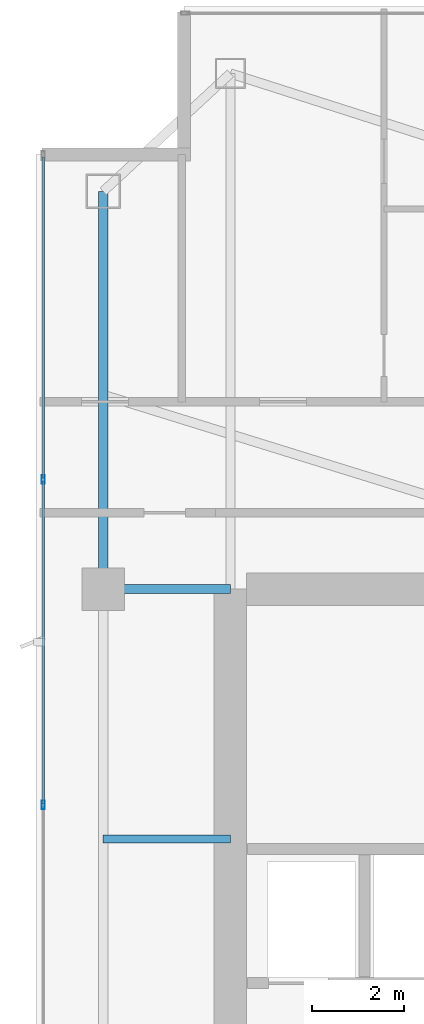
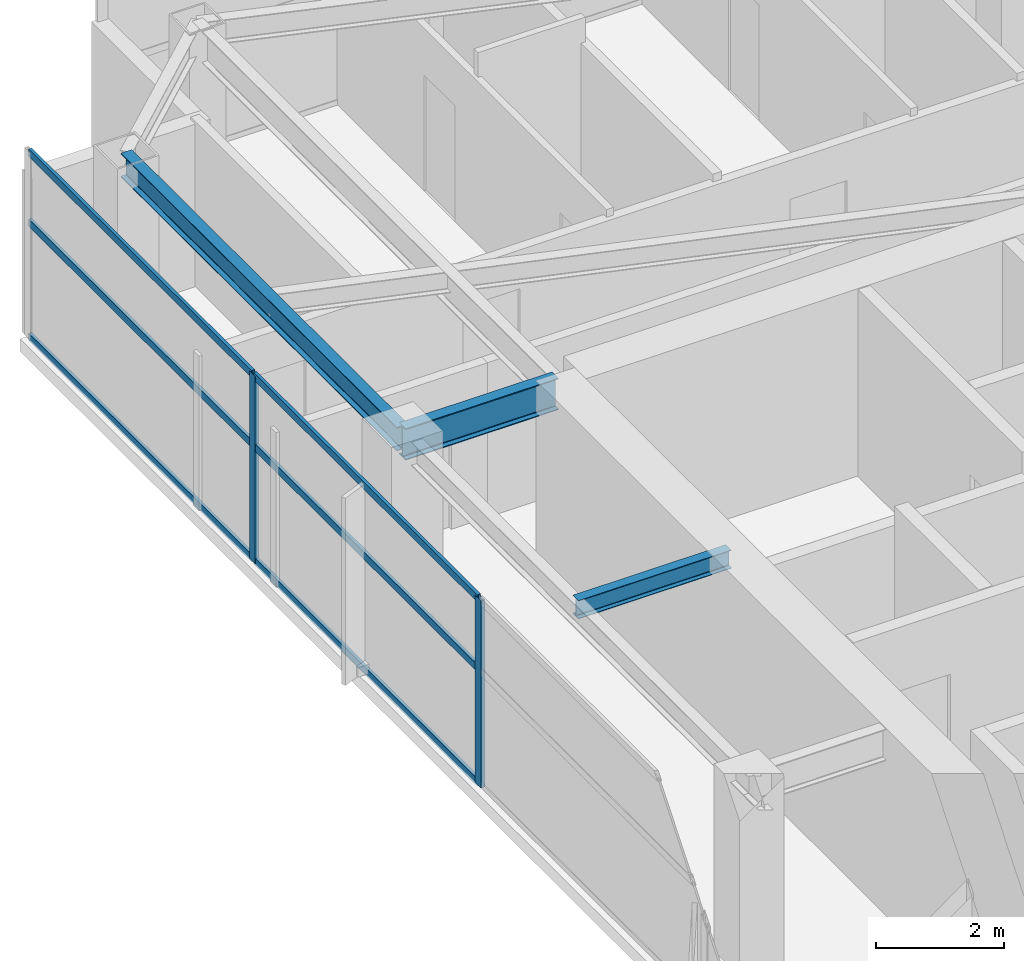
# One storey, part 15 of 27: 8 members, 3 beams, 1 element without a shape of its own.
"""IFC4 building model written with IfcOpenShell, lengths in metres."""

from ifc_helpers import new_model, si_unit, direction, frame, origin, origin_2d, place, context, subcontext, project, spatial, hollow_rectangle, i_section, extrude, material, layer, layer_set, material_profile, profile_set, type_object, element, aggregate, save


model = new_model("IFC4")

# Units and contexts
model_context = context("Model", 3, precision=1e-05, world=origin(), true_north=direction((0.0, 1.0)))
body_context = subcontext(model_context, "Body", "Model", "MODEL_VIEW")
ifc_project = project(units=[si_unit("LENGTHUNIT", "METRE"), si_unit("AREAUNIT", "SQUARE_METRE"), si_unit("VOLUMEUNIT", "CUBIC_METRE"), si_unit("PLANEANGLEUNIT", "RADIAN"), si_unit("MASSUNIT", "GRAM", prefix="KILO")], contexts=[model_context])

# Site, building, storey
site_placement = place(None, origin())
site = spatial("IfcSite", under=ifc_project, at=site_placement, CompositionType="ELEMENT")
building_placement = place(site_placement, origin())
building = spatial("IfcBuilding", under=site, at=building_placement, Name="Calvorn Quay Hotel", CompositionType="ELEMENT")
storey_placement = place(building_placement, frame((0.0, 0.0, 223.10009765625)))
storey = spatial("IfcBuildingStorey", under=building, at=storey_placement, Name="L55", CompositionType="ELEMENT", Elevation=223.10009765625)

# Beams
ifc_material_1 = material(Name="Steel Q355B", Category="steel")
ifc_material_profile_1 = material_profile(ifc_material_1, i_section(OverallWidth=0.199951171875, OverallDepth=0.60009765625, WebThickness=0.010986328125, FlangeThickness=0.01708984375, FilletRadius=0.01806640625, at=origin_2d()), Name="HN600x200x11x17")
ifc_profile_set_1 = profile_set([ifc_material_profile_1], Name="Steel Q355B")
beam_type_1 = type_object("IfcBeamType", Name="BM-GIRD-TYP", PredefinedType="BEAM", material=ifc_profile_set_1)
beam_1_placement = place(storey_placement, frame((1.449951171875, 38.39990234375, 3.239990234375), z_axis=(1.0, 0.0, 0.0), x_axis=(0.0, 1.0, 0.0)))
element("IfcBeam", 1, at=beam_1_placement, inside=storey, type_object=beam_type_1, Name="Beam BG-L55-W3", PredefinedType="BEAM", context=body_context, shape_type="SweptSolid", body=[
    extrude(i_section(OverallWidth=0.199951171875, OverallDepth=0.60009765625, WebThickness=0.010986328125, FlangeThickness=0.01708984375, FilletRadius=0.01806640625, at=origin_2d()), origin(), (0.0, 0.0, 1.0), 2.75),
])
ifc_material_2 = material(Name="Steel Q355B", Category="steel")
ifc_material_profile_2 = material_profile(ifc_material_2, i_section(OverallWidth=0.175048828125, OverallDepth=0.35009765625, WebThickness=0.007080078125, FlangeThickness=0.010986328125, FilletRadius=0.013916015625, at=origin_2d()), Name="HN350x175x7x11")
ifc_profile_set_2 = profile_set([ifc_material_profile_2], Name="Steel Q355B")
beam_type_2 = type_object("IfcBeamType", Name="BM-JOIST-SEC", PredefinedType="JOIST", material=ifc_profile_set_2)
beam_2_placement = place(storey_placement, frame((1.449951171875, 33.0, 3.364990234375), z_axis=(1.0, 0.0, 0.0), x_axis=(0.0, 1.0, 0.0)))
element("IfcBeam", 2, at=beam_2_placement, inside=storey, type_object=beam_type_2, Name="Beam BJ-L55-W4", PredefinedType="JOIST", context=body_context, shape_type="SweptSolid", body=[
    extrude(i_section(OverallWidth=0.175048828125, OverallDepth=0.35009765625, WebThickness=0.007080078125, FlangeThickness=0.010986328125, FilletRadius=0.013916015625, at=origin_2d()), origin(), (0.0, 0.0, 1.0), 2.75),
])
ifc_material_3 = material(Name="Steel Q355B", Category="steel")
ifc_material_profile_3 = material_profile(ifc_material_3, i_section(OverallWidth=0.199951171875, OverallDepth=0.449951171875, WebThickness=0.009033203125, FlangeThickness=0.013916015625, FilletRadius=0.01611328125, at=origin_2d()), Name="HN450x200x9x14")
ifc_profile_set_3 = profile_set([ifc_material_profile_3], Name="Steel Q355B")
beam_type_3 = type_object("IfcBeamType", Name="BM-SPANDREL-Z3", PredefinedType="SPANDREL", material=ifc_profile_set_3)
beam_3_placement = place(storey_placement, frame((1.449951171875, 38.39990234375, 3.31494140625), z_axis=(0.0, 1.0, 0.0), x_axis=(-1.0, 0.0, 0.0)))
element("IfcBeam", 3, at=beam_3_placement, inside=storey, type_object=beam_type_3, Name="Beam BSP-L55-W4", PredefinedType="SPANDREL", context=body_context, shape_type="SweptSolid", body=[
    extrude(i_section(OverallWidth=0.199951171875, OverallDepth=0.449951171875, WebThickness=0.009033203125, FlangeThickness=0.013916015625, FilletRadius=0.01611328125, at=origin_2d()), origin(), (0.0, 0.0, 1.0), 8.60009765625),
])

# Curtain wall, members
ifc_material_4 = material(Name="Champagne Bronze Anodised Aluminium and Low-E Glass", Category="aluminium")
ifc_layer = layer(ifc_material_4, 0.219970703125)
ifc_layer_set = layer_set([ifc_layer], Name="CW-SYS-Z3")
curtain_wall_type = type_object("IfcCurtainWallType", Name="CW-SYS-Z3", PredefinedType="NOTDEFINED", material=ifc_layer_set)
curtain_wall_placement = place(storey_placement, origin())
curtain_wall = element("IfcCurtainWall", 4, at=curtain_wall_placement, inside=storey, type_object=curtain_wall_type, Name="Tower West Curtain Wall (L55)", PredefinedType="NOTDEFINED")
ifc_material_5 = material(Name="Champagne Bronze Anodised Aluminium 6063-T6", Category="aluminium")
ifc_material_profile_4 = material_profile(ifc_material_5, hollow_rectangle(XDim=0.068115234375, YDim=0.18505859375, WallThickness=0.00390625, at=origin_2d()), Name="ALU-M185x68x4")
ifc_profile_set_4 = profile_set([ifc_material_profile_4], Name="Champagne Bronze Anodised Aluminium 6063-T6")
member_type_1 = type_object("IfcMemberType", Name="CW-SYS-Z3-MUL", PredefinedType="MULLION", material=ifc_profile_set_4)
member_1_placement = place(storey_placement, frame((0.14990234375, 33.7333984375, 0.0), z_axis=(0.0, 0.0, 1.0), x_axis=(-1.0, 0.0, 0.0)))
member_1 = element("IfcMember", 5, at=member_1_placement, type_object=member_type_1, Name="CW-L55-W mullion 5", PredefinedType="MULLION", context=body_context, shape_type="SweptSolid", body=[
    extrude(hollow_rectangle(XDim=0.068115234375, YDim=0.18505859375, WallThickness=0.00390625, at=origin_2d()), origin(), (0.0, 0.0, 1.0), 3.559814453125),
])
member_2_placement = place(storey_placement, frame((0.14990234375, 40.7666015625, 0.0), z_axis=(0.0, 0.0, 1.0), x_axis=(-1.0, 0.0, 0.0)))
member_2 = element("IfcMember", 6, at=member_2_placement, type_object=member_type_1, Name="CW-L55-W mullion 6", PredefinedType="MULLION", context=body_context, shape_type="SweptSolid", body=[
    extrude(hollow_rectangle(XDim=0.068115234375, YDim=0.18505859375, WallThickness=0.00390625, at=origin_2d()), origin(), (0.0, 0.0, 1.0), 3.559814453125),
])
ifc_material_6 = material(Name="Champagne Bronze Anodised Aluminium 6063-T6", Category="aluminium")
ifc_material_profile_5 = material_profile(ifc_material_6, hollow_rectangle(XDim=0.05810546875, YDim=0.139892578125, WallThickness=0.003173828125, at=origin_2d()), Name="ALU-T140x58x3.2")
ifc_profile_set_5 = profile_set([ifc_material_profile_5], Name="Champagne Bronze Anodised Aluminium 6063-T6")
member_type_2 = type_object("IfcMemberType", Name="CW-SYS-Z3-TRN", PredefinedType="USERDEFINED", material=ifc_profile_set_5)
member_3_placement = place(storey_placement, frame((0.14990234375, 33.763427734375, 0.02978515625), z_axis=(0.0, 1.0, 0.0), x_axis=(-1.0, 0.0, 0.0)))
member_3 = element("IfcMember", 7, at=member_3_placement, type_object=member_type_2, Name="CW-L55-W transom 5.1", ObjectType="TRANSOM", PredefinedType="USERDEFINED", context=body_context, shape_type="SweptSolid", body=[
    extrude(hollow_rectangle(XDim=0.05810546875, YDim=0.139892578125, WallThickness=0.003173828125, at=origin_2d()), origin(), (0.0, 0.0, 1.0), 6.97314453125),
])
member_4_placement = place(storey_placement, frame((0.14990234375, 33.763427734375, 2.199951171875), z_axis=(0.0, 1.0, 0.0), x_axis=(-1.0, 0.0, 0.0)))
member_4 = element("IfcMember", 8, at=member_4_placement, type_object=member_type_2, Name="CW-L55-W transom 5.2", ObjectType="TRANSOM", PredefinedType="USERDEFINED", context=body_context, shape_type="SweptSolid", body=[
    extrude(hollow_rectangle(XDim=0.05810546875, YDim=0.139892578125, WallThickness=0.003173828125, at=origin_2d()), origin(), (0.0, 0.0, 1.0), 6.97314453125),
])
member_5_placement = place(storey_placement, frame((0.14990234375, 33.763427734375, 3.52978515625), z_axis=(0.0, 1.0, 0.0), x_axis=(-1.0, 0.0, 0.0)))
member_5 = element("IfcMember", 9, at=member_5_placement, type_object=member_type_2, Name="CW-L55-W transom 5.3", ObjectType="TRANSOM", PredefinedType="USERDEFINED", context=body_context, shape_type="SweptSolid", body=[
    extrude(hollow_rectangle(XDim=0.05810546875, YDim=0.139892578125, WallThickness=0.003173828125, at=origin_2d()), origin(), (0.0, 0.0, 1.0), 6.97314453125),
])
member_6_placement = place(storey_placement, frame((0.14990234375, 40.796630859375, 0.02978515625), z_axis=(0.0, 1.0, 0.0), x_axis=(-1.0, 0.0, 0.0)))
member_6 = element("IfcMember", 10, at=member_6_placement, type_object=member_type_2, Name="CW-L55-W transom 6.1", ObjectType="TRANSOM", PredefinedType="USERDEFINED", context=body_context, shape_type="SweptSolid", body=[
    extrude(hollow_rectangle(XDim=0.05810546875, YDim=0.139892578125, WallThickness=0.003173828125, at=origin_2d()), origin(), (0.0, 0.0, 1.0), 6.943359375),
])
member_7_placement = place(storey_placement, frame((0.14990234375, 40.796630859375, 2.199951171875), z_axis=(0.0, 1.0, 0.0), x_axis=(-1.0, 0.0, 0.0)))
member_7 = element("IfcMember", 11, at=member_7_placement, type_object=member_type_2, Name="CW-L55-W transom 6.2", ObjectType="TRANSOM", PredefinedType="USERDEFINED", context=body_context, shape_type="SweptSolid", body=[
    extrude(hollow_rectangle(XDim=0.05810546875, YDim=0.139892578125, WallThickness=0.003173828125, at=origin_2d()), origin(), (0.0, 0.0, 1.0), 6.943359375),
])
member_8_placement = place(storey_placement, frame((0.14990234375, 40.796630859375, 3.52978515625), z_axis=(0.0, 1.0, 0.0), x_axis=(-1.0, 0.0, 0.0)))
member_8 = element("IfcMember", 12, at=member_8_placement, type_object=member_type_2, Name="CW-L55-W transom 6.3", ObjectType="TRANSOM", PredefinedType="USERDEFINED", context=body_context, shape_type="SweptSolid", body=[
    extrude(hollow_rectangle(XDim=0.05810546875, YDim=0.139892578125, WallThickness=0.003173828125, at=origin_2d()), origin(), (0.0, 0.0, 1.0), 6.943359375),
])
aggregate(curtain_wall, [member_1, member_2, member_3, member_4, member_5, member_6, member_7, member_8])

save(model, "model.ifc")
